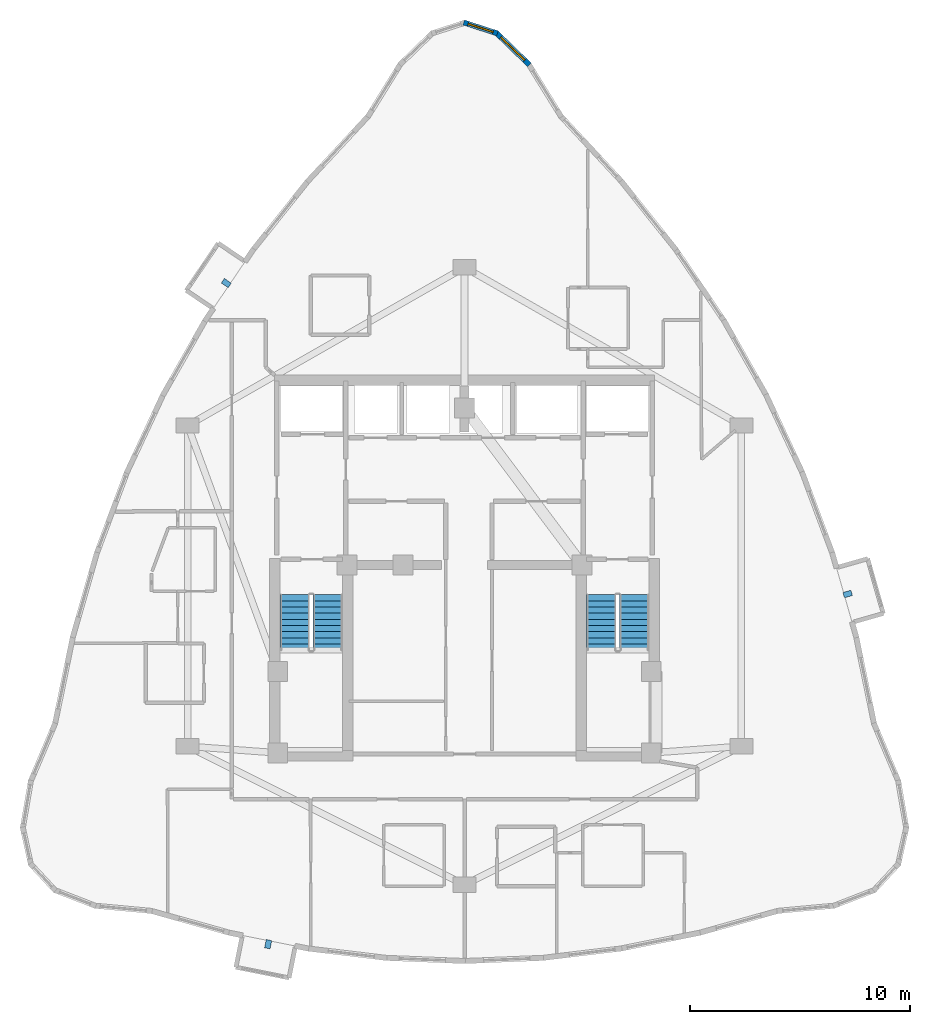
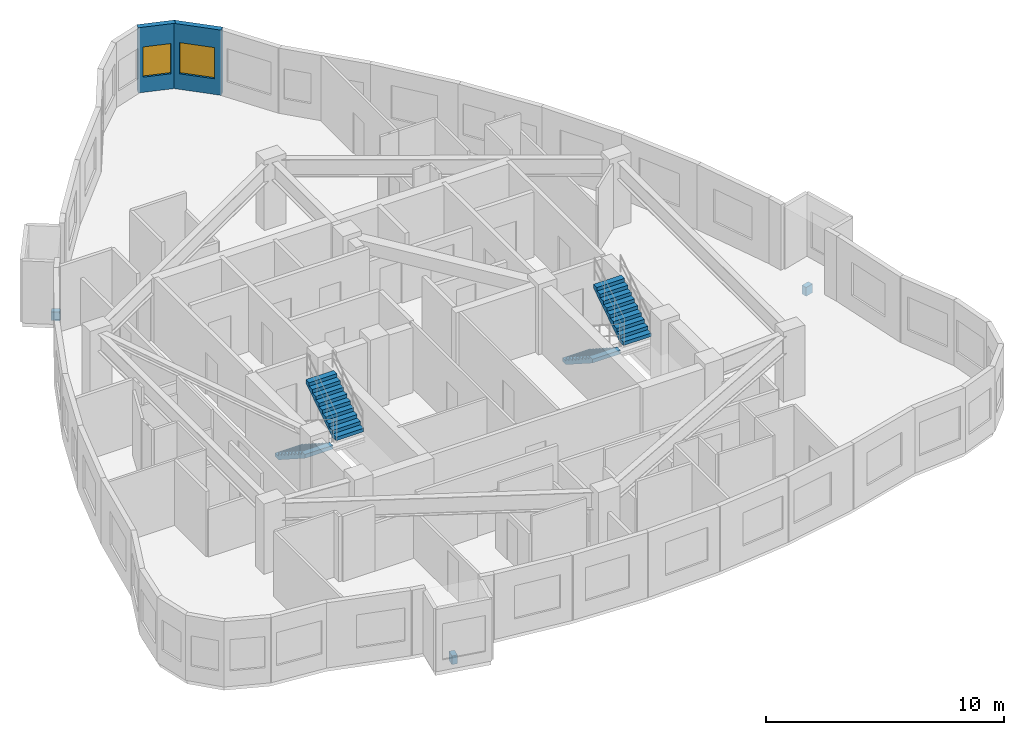
# One storey, part 12 of 13: 4 stair flights, 3 discrete accessories, 2 walls, 2 windows, 2 openings, 2 elements without a shape of their own.
"""IFC4 building model written with IfcOpenShell, lengths in metres."""

from ifc_helpers import new_model, si_unit, direction, frame, frame_2d, origin, origin_2d, place, context, subcontext, project, spatial, polyline, rectangle, outline, extrude, material, layer, layer_set, type_object, element, fill, aggregate, save


model = new_model("IFC4")

# Units and contexts
model_context = context("Model", 3, precision=1e-05, world=origin(), true_north=direction((0.0, 1.0)))
body_context = subcontext(model_context, "Body", "Model", "MODEL_VIEW")
ifc_project = project(units=[si_unit("LENGTHUNIT", "METRE"), si_unit("AREAUNIT", "SQUARE_METRE"), si_unit("VOLUMEUNIT", "CUBIC_METRE"), si_unit("PLANEANGLEUNIT", "RADIAN"), si_unit("MASSUNIT", "GRAM", prefix="KILO")], contexts=[model_context])

# Site, building, storey
site_placement = place(None, origin())
site = spatial("IfcSite", under=ifc_project, at=site_placement, CompositionType="ELEMENT")
building_placement = place(site_placement, origin())
building = spatial("IfcBuilding", under=site, at=building_placement, Name="Miruveldt Soraemaru", CompositionType="ELEMENT")
storey_placement = place(building_placement, frame((0.0, 0.0, 205.199951171875)))
storey = spatial("IfcBuildingStorey", under=building, at=storey_placement, Name="L56", CompositionType="ELEMENT", Elevation=205.199951171875)

# Wall, opening, window
ifc_material_1 = material(Name="Precast concrete C45/55 (45 MPa)", Category="concrete")
ifc_layer = layer(ifc_material_1, 0.239990234375, Name="Precast concrete C45/55 (45 MPa)", Category="concrete")
ifc_layer_set = layer_set([ifc_layer], Name="Precast concrete C45/55 (45 MPa)")
wall_type = type_object("IfcWallType", Name="WALL-EXT-PC240", PredefinedType="SOLIDWALL", material=ifc_layer_set)
wall_1_placement = place(storey_placement, frame((46.953857421875, 66.812744140625, 0.0), z_axis=(0.0, 0.0, 1.0), x_axis=(-0.717784741211, 0.696265082626, 0.0)))
wall_1 = element("IfcWall", 1, at=wall_1_placement, inside=storey, type_object=wall_type, Name="L56 Precast Concrete Facade Wall 2", PredefinedType="SOLIDWALL", context=body_context, shape_type="SweptSolid", body=[
    extrude(rectangle(XDim=2.110107421875, YDim=0.239990234375, at=frame_2d((1.05517578125, 0.0))), origin(), (0.0, 0.0, 1.0), 3.344970703125),
])
opening_1_placement = place(wall_1_placement, frame((0.304931640625, 0.0, 0.800048828125)))
opening_1 = element("IfcOpeningElement", 2, at=opening_1_placement, cuts=wall_1, Name="Opening WN-3", PredefinedType="OPENING", context=body_context, shape_type="SweptSolid", body=[
    extrude(rectangle(XDim=1.5, YDim=1.60009765625, at=frame_2d((0.75, 0.800048828125))), frame((0.0, 0.1298828125, 0.0), z_axis=(0.0, -1.0, 0.0), x_axis=(1.0, 0.0, 0.0)), (0.0, 0.0, 1.0), 0.260009765625),
])
ifc_material_2 = material(Name="Triple low-e insulated glazing", Category="glass")
window_type_1 = type_object("IfcWindowType", Name="WIN-PUNCH-1500x1600", PartitioningType="SINGLE_PANEL", PredefinedType="WINDOW", material=ifc_material_2)
window_1_placement = place(opening_1_placement, origin())
window_1 = element("IfcWindow", 3, at=window_1_placement, inside=storey, type_object=window_type_1, Name="L56 Punched Triple-Glazed Window 02.1", OverallHeight=1.60009765625, OverallWidth=1.5, PartitioningType="SINGLE_PANEL", PredefinedType="WINDOW", context=body_context, shape_type="SweptSolid", body=[
    extrude(rectangle(XDim=1.5, YDim=1.60009765625, at=frame_2d((0.75, 0.800048828125))), frame((0.0, 0.030029296875, 0.0), z_axis=(0.0, -1.0, 0.0), x_axis=(1.0, 0.0, 0.0)), (0.0, 0.0, 1.0), 0.06005859375),
])
fill(opening_1, window_1)

wall_2_placement = place(storey_placement, frame((45.49755859375, 68.246826171875, 0.0), z_axis=(0.0, 0.0, 1.0), x_axis=(-0.951512470803, 0.307610171981, 0.0)))
wall_2 = element("IfcWall", 4, at=wall_2_placement, inside=storey, type_object=wall_type, Name="L56 Precast Concrete Facade Wall 3", PredefinedType="SOLIDWALL", context=body_context, shape_type="SweptSolid", body=[
    extrude(rectangle(XDim=1.60888671875, YDim=0.239990234375, at=frame_2d((0.804443359375, 0.0))), origin(), (0.0, 0.0, 1.0), 3.344970703125),
])
opening_2_placement = place(wall_2_placement, frame((0.205078125, 0.0, 0.780029296875)))
opening_2 = element("IfcOpeningElement", 5, at=opening_2_placement, cuts=wall_2, Name="Opening WN-4", PredefinedType="OPENING", context=body_context, shape_type="SweptSolid", body=[
    extrude(rectangle(XDim=1.199951171875, YDim=1.550048828125, at=frame_2d((0.60009765625, 0.77490234375))), frame((0.0, 0.1298828125, 0.0), z_axis=(0.0, -1.0, 0.0), x_axis=(1.0, 0.0, 0.0)), (0.0, 0.0, 1.0), 0.260009765625),
])
window_type_2 = type_object("IfcWindowType", Name="WIN-PUNCH-1200x1550", PartitioningType="SINGLE_PANEL", PredefinedType="WINDOW", material=ifc_material_2)
window_2_placement = place(opening_2_placement, origin())
window_2 = element("IfcWindow", 6, at=window_2_placement, inside=storey, type_object=window_type_2, Name="L56 Punched Triple-Glazed Window 03.1", OverallHeight=1.550048828125, OverallWidth=1.199951171875, PartitioningType="SINGLE_PANEL", PredefinedType="WINDOW", context=body_context, shape_type="SweptSolid", body=[
    extrude(rectangle(XDim=1.199951171875, YDim=1.550048828125, at=frame_2d((0.60009765625, 0.77490234375))), frame((0.0, 0.030029296875, 0.0), z_axis=(0.0, -1.0, 0.0), x_axis=(1.0, 0.0, 0.0)), (0.0, 0.0, 1.0), 0.06005859375),
])
fill(opening_2, window_2)

# Stair, stair flights
ifc_material_3 = material(Name="Concrete C40/50 (40 MPa)", Category="concrete")
stair_type = type_object("IfcStairType", Name="STAIR-DL-360", PredefinedType="HALF_TURN_STAIR", material=ifc_material_3)
stair_1_placement = place(storey_placement, origin())
stair_1 = element("IfcStair", 7, at=stair_1_placement, inside=storey, type_object=stair_type, Name="L56 Protected Exit Stair ST-1", PredefinedType="HALF_TURN_STAIR")
stair_flight_type = type_object("IfcStairFlightType", Name="SFL-DL-360", PredefinedType="STRAIGHT", material=ifc_material_3)
stair_flight_1_placement = place(storey_placement, frame((36.27490234375, 42.699951171875, 0.0), z_axis=(0.0, 0.0, 1.0), x_axis=(0.0, -1.0, 0.0)))
stair_flight_1 = element("IfcStairFlight", 8, at=stair_flight_1_placement, type_object=stair_flight_type, Name="ST-1 flight 1", NumberOfRisers=10, NumberOfTreads=9, PredefinedType="STRAIGHT", RiserHeight=0.18, TreadLength=0.28, context=body_context, shape_type="SweptSolid", body=[
    extrude(outline(polyline([(0.0, 0.0), (0.0, 0.179931640625), (0.280029296875, 0.179931640625), (0.280029296875, 0.360107421875), (0.56005859375, 0.360107421875), (0.56005859375, 0.5400390625), (0.840087890625, 0.5400390625), (0.840087890625, 0.719970703125), (1.1201171875, 0.719970703125), (1.1201171875, 0.89990234375), (1.39990234375, 0.89990234375), (1.39990234375, 1.080078125), (1.679931640625, 1.080078125), (1.679931640625, 1.260009765625), (1.9599609375, 1.260009765625), (1.9599609375, 1.43994140625), (2.239990234375, 1.43994140625), (2.239990234375, 1.6201171875), (2.52001953125, 1.6201171875), (2.52001953125, 1.800048828125), (2.52001953125, 1.429931640625), (0.295654296875, 0.0), (0.0, 0.0)])), frame((0.0, 0.675048828125, 0.0), z_axis=(0.0, -1.0, 0.0), x_axis=(1.0, 0.0, 0.0)), (0.0, 0.0, 1.0), 1.35009765625),
])
stair_flight_2_placement = place(storey_placement, frame((37.77490234375, 40.179931640625, 1.800048828125), z_axis=(0.0, 0.0, 1.0), x_axis=(0.0, 1.0, 0.0)))
stair_flight_2 = element("IfcStairFlight", 9, at=stair_flight_2_placement, type_object=stair_flight_type, Name="ST-1 flight 2", NumberOfRisers=10, NumberOfTreads=9, PredefinedType="STRAIGHT", RiserHeight=0.18, TreadLength=0.28, context=body_context, shape_type="SweptSolid", body=[
    extrude(outline(polyline([(0.0, 0.0), (0.0, 0.179931640625), (0.280029296875, 0.179931640625), (0.280029296875, 0.360107421875), (0.56005859375, 0.360107421875), (0.56005859375, 0.5400390625), (0.840087890625, 0.5400390625), (0.840087890625, 0.719970703125), (1.1201171875, 0.719970703125), (1.1201171875, 0.89990234375), (1.39990234375, 0.89990234375), (1.39990234375, 1.080078125), (1.679931640625, 1.080078125), (1.679931640625, 1.260009765625), (1.9599609375, 1.260009765625), (1.9599609375, 1.43994140625), (2.239990234375, 1.43994140625), (2.239990234375, 1.6201171875), (2.52001953125, 1.6201171875), (2.52001953125, 1.800048828125), (2.52001953125, 1.429931640625), (0.295654296875, 0.0), (0.0, 0.0)])), frame((0.0, 0.675048828125, 0.0), z_axis=(0.0, -1.0, 0.0), x_axis=(1.0, 0.0, 0.0)), (0.0, 0.0, 1.0), 1.35009765625),
])
aggregate(stair_1, [stair_flight_1, stair_flight_2])

stair_2_placement = place(storey_placement, origin())
stair_2 = element("IfcStair", 10, at=stair_2_placement, inside=storey, type_object=stair_type, Name="L56 Protected Exit Stair ST-2", PredefinedType="HALF_TURN_STAIR")
stair_flight_3_placement = place(storey_placement, frame((50.22509765625, 42.699951171875, 0.0), z_axis=(0.0, 0.0, 1.0), x_axis=(0.0, -1.0, 0.0)))
stair_flight_3 = element("IfcStairFlight", 11, at=stair_flight_3_placement, type_object=stair_flight_type, Name="ST-2 flight 1", NumberOfRisers=10, NumberOfTreads=9, PredefinedType="STRAIGHT", RiserHeight=0.18, TreadLength=0.28, context=body_context, shape_type="SweptSolid", body=[
    extrude(outline(polyline([(0.0, 0.0), (0.0, 0.179931640625), (0.280029296875, 0.179931640625), (0.280029296875, 0.360107421875), (0.56005859375, 0.360107421875), (0.56005859375, 0.5400390625), (0.840087890625, 0.5400390625), (0.840087890625, 0.719970703125), (1.1201171875, 0.719970703125), (1.1201171875, 0.89990234375), (1.39990234375, 0.89990234375), (1.39990234375, 1.080078125), (1.679931640625, 1.080078125), (1.679931640625, 1.260009765625), (1.9599609375, 1.260009765625), (1.9599609375, 1.43994140625), (2.239990234375, 1.43994140625), (2.239990234375, 1.6201171875), (2.52001953125, 1.6201171875), (2.52001953125, 1.800048828125), (2.52001953125, 1.429931640625), (0.295654296875, 0.0), (0.0, 0.0)])), frame((0.0, 0.675048828125, 0.0), z_axis=(0.0, -1.0, 0.0), x_axis=(1.0, 0.0, 0.0)), (0.0, 0.0, 1.0), 1.35009765625),
])
stair_flight_4_placement = place(storey_placement, frame((51.72509765625, 40.179931640625, 1.800048828125), z_axis=(0.0, 0.0, 1.0), x_axis=(0.0, 1.0, 0.0)))
stair_flight_4 = element("IfcStairFlight", 12, at=stair_flight_4_placement, type_object=stair_flight_type, Name="ST-2 flight 2", NumberOfRisers=10, NumberOfTreads=9, PredefinedType="STRAIGHT", RiserHeight=0.18, TreadLength=0.28, context=body_context, shape_type="SweptSolid", body=[
    extrude(outline(polyline([(0.0, 0.0), (0.0, 0.179931640625), (0.280029296875, 0.179931640625), (0.280029296875, 0.360107421875), (0.56005859375, 0.360107421875), (0.56005859375, 0.5400390625), (0.840087890625, 0.5400390625), (0.840087890625, 0.719970703125), (1.1201171875, 0.719970703125), (1.1201171875, 0.89990234375), (1.39990234375, 0.89990234375), (1.39990234375, 1.080078125), (1.679931640625, 1.080078125), (1.679931640625, 1.260009765625), (1.9599609375, 1.260009765625), (1.9599609375, 1.43994140625), (2.239990234375, 1.43994140625), (2.239990234375, 1.6201171875), (2.52001953125, 1.6201171875), (2.52001953125, 1.800048828125), (2.52001953125, 1.429931640625), (0.295654296875, 0.0), (0.0, 0.0)])), frame((0.0, 0.675048828125, 0.0), z_axis=(0.0, -1.0, 0.0), x_axis=(1.0, 0.0, 0.0)), (0.0, 0.0, 1.0), 1.35009765625),
])
aggregate(stair_2, [stair_flight_3, stair_flight_4])

# Discrete accessories
ifc_material_4 = material(Name="Steel SM355 (355 MPa)", Category="steel")
discrete_accessory_type = type_object("IfcDiscreteAccessoryType", Name="ACC-BAY-BRK", PredefinedType="BRACKET", material=ifc_material_4)
for number, where, z_axis, x_axis, name in (
    (13, (33.1552734375, 56.8828125, -0.69970703125), (0.0, 0.0, 1.0), (-0.827913531301, 0.560855761037, 0.0), "L56 Bay Window Cantilever Bracket 1"),
    (14, (35.062255859375, 26.79345703125, -0.69970703125), (0.0, 0.0, 1.0), (-0.196117290802, -0.980580444557, 0.0), "L56 Bay Window Cantilever Bracket 2"),
    (15, (61.438232421875, 42.72998046875, -0.69970703125), (0.0, 0.0, 1.0), (0.961449093633, 0.274982981932, 0.0), "L56 Bay Window Cantilever Bracket 3"),
):
    element("IfcDiscreteAccessory", number, at=place(storey_placement, frame(where, z_axis=z_axis, x_axis=x_axis)), inside=storey, type_object=discrete_accessory_type, Name=name, PredefinedType="BRACKET", context=body_context, shape_type="SweptSolid", body=[
        extrude(rectangle(XDim=0.3798828125, YDim=0.25, at=origin_2d()), origin(), (0.0, 0.0, 1.0), 0.449951171875),
    ])

save(model, "model.ifc")
